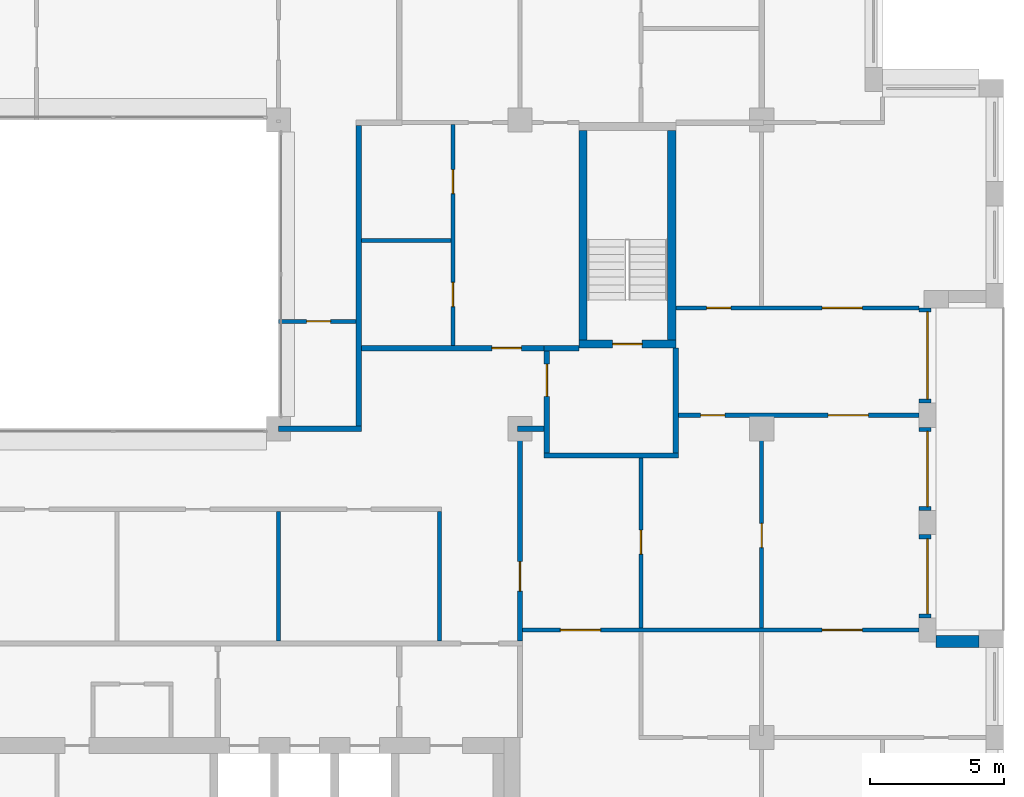
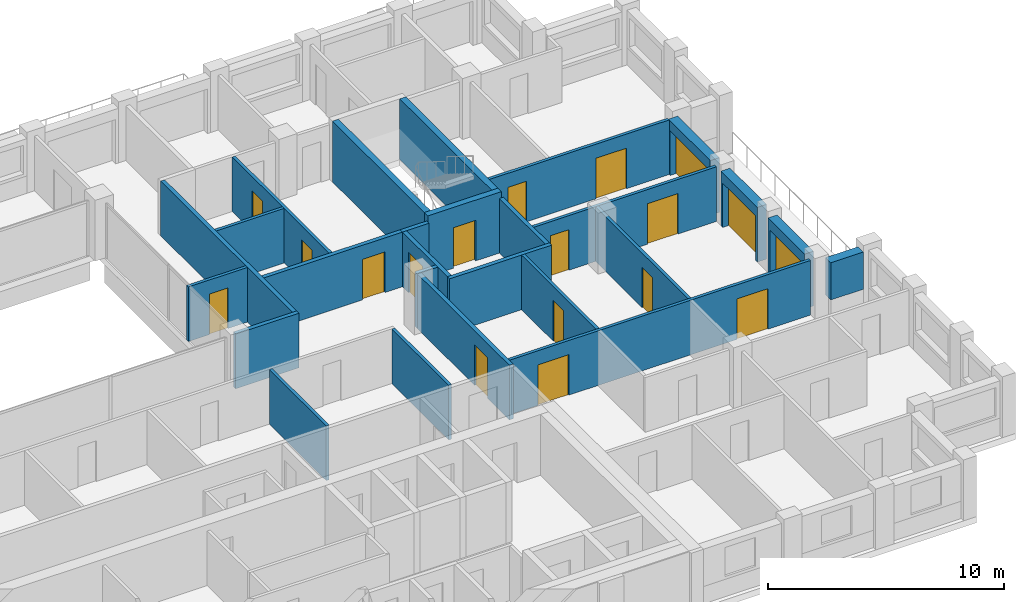
# One storey, part 12 of 16: 26 walls, 18 doors, 18 openings.
"""IFC4 building model written with IfcOpenShell, lengths in metres."""

import ifcopenshell
import ifcopenshell.guid

model = None  # the IFC model being written
_history = None  # IfcOwnerHistory: only IFC2X3 demands one
_inside = {}  # id of a spatial element -> (the spatial element, [elements in it])
_under = {}  # id of a project, library or spatial element -> (it, [spatial elements below it])
_declared = {}  # id of a project -> (the project, [libraries it declares])
_typed = {}  # id of a type object -> (the type object, [elements of that type])
_made_of = {}  # id of a material, layer set ... -> (it, [elements and type objects made of it])


def new_model(schema):
    """Start an empty IFC model of exactly this schema.

    Asked for "IFC4X3", IfcOpenShell would pick the latest addendum, in which some entities
    have other attributes; the version numbers below select the first issue.
    IFC2X3 requires an IfcOwnerHistory on every rooted entity: one is made here for all.
    """
    global model, _history
    if schema == "IFC4X3":
        model = ifcopenshell.file(schema_version=(4, 3, 0, 0))
    else:
        model = ifcopenshell.file(schema=schema)
    _inside.clear()
    _under.clear()
    _declared.clear()
    _typed.clear()
    _made_of.clear()
    _history = None
    if model.schema == "IFC2X3":
        org = make("IfcOrganization", Name="unknown")
        user = make(
            "IfcPersonAndOrganization",
            ThePerson=make("IfcPerson", FamilyName="unknown"),
            TheOrganization=org,
        )
        app = make(
            "IfcApplication",
            ApplicationDeveloper=org,
            Version="unknown",
            ApplicationFullName="unknown",
            ApplicationIdentifier="unknown",
        )
        _history = make(
            "IfcOwnerHistory",
            OwningUser=user,
            OwningApplication=app,
            ChangeAction="ADDED",
            CreationDate=0,
        )
    return model


def make(cls, **values):
    """One entity of the class cls with the attributes given. An attribute that is None is left unset."""
    return model.create_entity(
        cls, **{name: value for name, value in values.items() if value is not None}
    )


def rooted(cls, **values):
    """An entity with a GlobalId (a new one), such as an element, a storey or a relation."""
    return make(cls, GlobalId=ifcopenshell.guid.new(), OwnerHistory=_history, **values)


def si_unit(unit_type, name, prefix=None):
    """IfcSIUnit, for example si_unit("LENGTHUNIT", "METRE", prefix="MILLI")."""
    return make("IfcSIUnit", UnitType=unit_type, Prefix=prefix, Name=name)


def assignment(units):
    """IfcUnitAssignment: the units of a project."""
    return None if units is None else make("IfcUnitAssignment", Units=units)


def point(xyz):
    """IfcCartesianPoint."""
    return None if xyz is None else make("IfcCartesianPoint", Coordinates=xyz)


def direction(xyz):
    """IfcDirection."""
    return None if xyz is None else make("IfcDirection", DirectionRatios=xyz)


def frame(location, z_axis=None, x_axis=None):
    """IfcAxis2Placement3D, a coordinate frame: its origin and axes. An axis left out is left unset."""
    return make(
        "IfcAxis2Placement3D",
        Location=point(location),
        Axis=direction(z_axis),
        RefDirection=direction(x_axis),
    )


def frame_2d(location, x_axis=None):
    """IfcAxis2Placement2D, a coordinate frame in the plane: its origin and x axis."""
    return make(
        "IfcAxis2Placement2D", Location=point(location), RefDirection=direction(x_axis)
    )


def origin():
    """The frame at (0, 0, 0) with its axes left unset."""
    return frame((0.0, 0.0, 0.0))


def place(relative_to, where):
    """IfcLocalPlacement: puts the frame where relative to a parent placement (None: the world)."""
    return make(
        "IfcLocalPlacement", PlacementRelTo=relative_to, RelativePlacement=where
    )


def context(
    kind, dimensions, precision=None, world=None, true_north=None, identifier=None
):
    """IfcGeometricRepresentationContext, for example the 3D "Model" context."""
    return make(
        "IfcGeometricRepresentationContext",
        ContextIdentifier=identifier,
        ContextType=kind,
        CoordinateSpaceDimension=dimensions,
        Precision=precision,
        WorldCoordinateSystem=world,
        TrueNorth=true_north,
    )


def subcontext(parent, identifier, kind, view, scale=None):
    """IfcGeometricRepresentationSubContext, for example "Body" below "Model"."""
    return make(
        "IfcGeometricRepresentationSubContext",
        ContextIdentifier=identifier,
        ContextType=kind,
        ParentContext=parent,
        TargetScale=scale,
        TargetView=view,
    )


def project(units=None, contexts=None):
    """IfcProject with its units and contexts."""
    return rooted(
        "IfcProject",
        Name="project",
        RepresentationContexts=contexts,
        UnitsInContext=assignment(units),
    )


def spatial(cls, under=None, at=None, **own):
    """A site, building, storey or space (cls), placed at a placement, below another one or the project."""
    s = rooted(cls, ObjectPlacement=at, **own)
    if under is not None:
        _under.setdefault(under.id(), (under, []))[1].append(s)
    return s


def profile(cls, at=None, kind="AREA", **sizes):
    """A parametric profile (cls). Its sizes go by their IFC names, for example OverallWidth=200.0."""
    return make(cls, ProfileType=kind, Position=at, **sizes)


def rectangle(**sizes):
    """IfcRectangleProfileDef."""
    return profile("IfcRectangleProfileDef", **sizes)


def extrude(swept, where, along, depth):
    """IfcExtrudedAreaSolid: the profile swept, set in the frame where, extruded along a direction by depth."""
    return make(
        "IfcExtrudedAreaSolid",
        SweptArea=swept,
        Position=where,
        ExtrudedDirection=direction(along),
        Depth=depth,
    )


def shape(context_of_items, identifier, shape_type, items):
    """IfcShapeRepresentation: the items that make up one representation, for example the "Body"."""
    return make(
        "IfcShapeRepresentation",
        ContextOfItems=context_of_items,
        RepresentationIdentifier=identifier,
        RepresentationType=shape_type,
        Items=items,
    )


def material(Name=None, Category=None):
    """IfcMaterial."""
    return make("IfcMaterial", Name=Name, Category=Category)


def layer(
    of_material, thickness, ventilated=None, Name=None, Category=None, Priority=None
):
    """IfcMaterialLayer: one layer of a wall or slab, of a material (None: an air gap)."""
    return make(
        "IfcMaterialLayer",
        Material=of_material,
        LayerThickness=thickness,
        IsVentilated=ventilated,
        Name=Name,
        Category=Category,
        Priority=Priority,
    )


def layer_set(layers, Name=None):
    """IfcMaterialLayerSet."""
    return make("IfcMaterialLayerSet", MaterialLayers=layers, LayerSetName=Name)


def made_of(thing, what):
    """Note that an element or type object is made of a material, layer set ...; save() writes the relation."""
    if what is not None:
        _made_of.setdefault(what.id(), (what, []))[1].append(thing)
    return thing


def type_object(cls, material=None, **own):
    """A type object (cls), such as IfcWallType, which elements share."""
    return made_of(rooted(cls, **own), material)


def element(
    cls,
    number,
    at=None,
    inside=None,
    cuts=None,
    type_object=None,
    material=None,
    context=None,
    identifier="Body",
    shape_type=None,
    held_by="IfcProductDefinitionShape",
    body=None,
    shapes=None,
    **own,
):
    """One element of the class cls, such as IfcWall. Its Tag is "e" and its number.

    at: its placement. inside: the storey or other place that contains it. cuts: it is an
    opening in that element (IfcRelVoidsElement). A single representation is given by context,
    identifier, shape_type and body (its items); several are given by shapes. held_by: the class
    of the entity that holds the representations. save() writes the other relations.
    """
    e = rooted(cls, Tag="e%d" % number, ObjectPlacement=at, **own)
    if body is not None:
        shapes = [shape(context, identifier, shape_type, body)]
    if shapes is not None:
        e.Representation = make(held_by, Representations=shapes)
    if inside is not None:
        _inside.setdefault(inside.id(), (inside, []))[1].append(e)
    if cuts is not None:
        rooted(
            "IfcRelVoidsElement", RelatingBuildingElement=cuts, RelatedOpeningElement=e
        )
    if type_object is not None:
        _typed.setdefault(type_object.id(), (type_object, []))[1].append(e)
    return made_of(e, material)


def fill(opening, filler):
    """IfcRelFillsElement: the door or window that sits in an opening."""
    return rooted(
        "IfcRelFillsElement",
        RelatingOpeningElement=opening,
        RelatedBuildingElement=filler,
    )


def aggregate(whole, parts):
    """IfcRelAggregates: a whole, such as a stair, and the parts it consists of."""
    return rooted("IfcRelAggregates", RelatingObject=whole, RelatedObjects=parts)


def save(model, path):
    """Write the relations noted so far, then the file.

    IfcRelAggregates (storeys below a building ...), IfcRelContainedInSpatialStructure (elements
    in a storey), IfcRelDefinesByType, IfcRelAssociatesMaterial and IfcRelDeclares: one each for
    every whole, place, type object, material and project.
    """
    for whole, parts in _under.values():
        aggregate(whole, parts)
    for where, things in _inside.values():
        rooted(
            "IfcRelContainedInSpatialStructure",
            RelatedElements=things,
            RelatingStructure=where,
        )
    for kind, things in _typed.values():
        rooted("IfcRelDefinesByType", RelatedObjects=things, RelatingType=kind)
    for what, things in _made_of.values():
        rooted("IfcRelAssociatesMaterial", RelatedObjects=things, RelatingMaterial=what)
    for by, libraries in _declared.values():
        rooted("IfcRelDeclares", RelatingContext=by, RelatedDefinitions=libraries)
    model.write(path)


model = new_model("IFC4")

# Units and contexts
model_context = context("Model", 3, precision=1e-05, world=origin(), true_north=direction((0.0, 1.0)))
body_context = subcontext(model_context, "Body", "Model", "MODEL_VIEW")
ifc_project = project(units=[si_unit("LENGTHUNIT", "METRE"), si_unit("AREAUNIT", "SQUARE_METRE"), si_unit("VOLUMEUNIT", "CUBIC_METRE"), si_unit("PLANEANGLEUNIT", "RADIAN"), si_unit("MASSUNIT", "GRAM", prefix="KILO")], contexts=[model_context])

# Site, building, storey
site_placement = place(None, origin())
site = spatial("IfcSite", under=ifc_project, at=site_placement, CompositionType="ELEMENT")
building_placement = place(site_placement, origin())
building = spatial("IfcBuilding", under=site, at=building_placement, Name="Brigalow Station Residences", CompositionType="ELEMENT")
storey_placement = place(building_placement, frame((0.0, 0.0, 198.0)))
storey = spatial("IfcBuildingStorey", under=building, at=storey_placement, Name="L56", CompositionType="ELEMENT", Elevation=198.0)

# Wall
ifc_material_1 = material(Name="Clay brick masonry", Category="masonry")
ifc_layer_1 = layer(ifc_material_1, 0.449951171875)
ifc_layer_set_1 = layer_set([ifc_layer_1], Name="BRICK INFILL WALL 450")
wall_type_1 = type_object("IfcWallType", Name="BRICK INFILL WALL 450", PredefinedType="SOLIDWALL", material=ifc_layer_set_1)
wall_1_placement = place(storey_placement, frame((71.10009765625, 16.074951171875, 0.89990234375), z_axis=(0.0, 0.0, 1.0), x_axis=(-1.0, 0.0, 0.0)))
element("IfcWall", 1, at=wall_1_placement, inside=storey, type_object=wall_type_1, Name="L56/ewall/W-L56-11", PredefinedType="SOLIDWALL", context=body_context, shape_type="SweptSolid", body=[
    extrude(rectangle(XDim=1.60009765625, YDim=0.449951171875, at=frame_2d((0.800048828125, 0.0))), origin(), (0.0, 0.0, 1.0), 1.93017578125),
])

# Wall, opening, door
wall_2_placement = place(storey_placement, frame((69.074951171875, 16.949951171875, 0.0), z_axis=(0.0, 0.0, 1.0), x_axis=(0.0, 1.0, 0.0)))
wall_2 = element("IfcWall", 2, at=wall_2_placement, inside=storey, type_object=wall_type_1, Name="L56/ewall/W-L56-12", PredefinedType="SOLIDWALL", context=body_context, shape_type="SweptSolid", body=[
    extrude(rectangle(XDim=3.10009765625, YDim=0.449951171875, at=frame_2d((1.550048828125, 0.0))), origin(), (0.0, 0.0, 1.0), 2.830078125),
])
opening_1_placement = place(wall_2_placement, frame((0.14990234375, 0.0, 0.0)))
opening_1 = element("IfcOpeningElement", 3, at=opening_1_placement, cuts=wall_2, Name="Opening D-B2800", PredefinedType="OPENING", context=body_context, shape_type="SweptSolid", body=[
    extrude(rectangle(XDim=2.800048828125, YDim=2.300048828125, at=frame_2d((1.39990234375, 1.14990234375))), frame((0.0, 0.23486328125, 0.0), z_axis=(0.0, -1.0, 0.0), x_axis=(1.0, 0.0, 0.0)), (0.0, 0.0, 1.0), 0.469970703125),
])
ifc_material_2 = material(Name="Anodised aluminium frame with double glazing", Category="aluminium")
door_type_1 = type_object("IfcDoorType", Name="BALCONY SLIDING DOOR 2800x2300", OperationType="SLIDING_TO_LEFT", PredefinedType="DOOR", material=ifc_material_2)
door_1_placement = place(opening_1_placement, origin())
door_1 = element("IfcDoor", 4, at=door_1_placement, inside=storey, type_object=door_type_1, Name="L56/balcony-door/W-L56-12", OperationType="SLIDING_TO_LEFT", OverallHeight=2.300048828125, OverallWidth=2.800048828125, PredefinedType="DOOR", context=body_context, shape_type="SweptSolid", body=[
    extrude(rectangle(XDim=2.800048828125, YDim=2.300048828125, at=frame_2d((1.39990234375, 1.14990234375))), frame((0.0, -0.06982421875, 0.0), z_axis=(0.0, -1.0, 0.0), x_axis=(1.0, 0.0, 0.0)), (0.0, 0.0, 1.0), 0.050048828125),
])
fill(opening_1, door_1)

wall_3_placement = place(storey_placement, frame((69.074951171875, 20.949951171875, 0.0), z_axis=(0.0, 0.0, 1.0), x_axis=(0.0, 1.0, 0.0)))
wall_3 = element("IfcWall", 5, at=wall_3_placement, inside=storey, type_object=wall_type_1, Name="L56/ewall/W-L56-13", PredefinedType="SOLIDWALL", context=body_context, shape_type="SweptSolid", body=[
    extrude(rectangle(XDim=3.10009765625, YDim=0.449951171875, at=frame_2d((1.550048828125, 0.0))), origin(), (0.0, 0.0, 1.0), 2.830078125),
])
opening_2_placement = place(wall_3_placement, frame((0.14990234375, 0.0, 0.0)))
opening_2 = element("IfcOpeningElement", 6, at=opening_2_placement, cuts=wall_3, Name="Opening D-B2800", PredefinedType="OPENING", context=body_context, shape_type="SweptSolid", body=[
    extrude(rectangle(XDim=2.800048828125, YDim=2.300048828125, at=frame_2d((1.39990234375, 1.14990234375))), frame((0.0, 0.23486328125, 0.0), z_axis=(0.0, -1.0, 0.0), x_axis=(1.0, 0.0, 0.0)), (0.0, 0.0, 1.0), 0.469970703125),
])
door_2_placement = place(opening_2_placement, origin())
door_2 = element("IfcDoor", 7, at=door_2_placement, inside=storey, type_object=door_type_1, Name="L56/balcony-door/W-L56-13", OperationType="SLIDING_TO_LEFT", OverallHeight=2.300048828125, OverallWidth=2.800048828125, PredefinedType="DOOR", context=body_context, shape_type="SweptSolid", body=[
    extrude(rectangle(XDim=2.800048828125, YDim=2.300048828125, at=frame_2d((1.39990234375, 1.14990234375))), frame((0.0, -0.06982421875, 0.0), z_axis=(0.0, -1.0, 0.0), x_axis=(1.0, 0.0, 0.0)), (0.0, 0.0, 1.0), 0.050048828125),
])
fill(opening_2, door_2)

wall_4_placement = place(storey_placement, frame((69.074951171875, 24.949951171875, 0.0), z_axis=(0.0, 0.0, 1.0), x_axis=(0.0, 1.0, 0.0)))
wall_4 = element("IfcWall", 8, at=wall_4_placement, inside=storey, type_object=wall_type_1, Name="L56/ewall/W-L56-14", PredefinedType="SOLIDWALL", context=body_context, shape_type="SweptSolid", body=[
    extrude(rectangle(XDim=3.550048828125, YDim=0.449951171875, at=frame_2d((1.77490234375, 0.0))), origin(), (0.0, 0.0, 1.0), 2.830078125),
])
opening_3_placement = place(wall_4_placement, frame((0.14990234375, 0.0, 0.0)))
opening_3 = element("IfcOpeningElement", 9, at=opening_3_placement, cuts=wall_4, Name="Opening D-B3250", PredefinedType="OPENING", context=body_context, shape_type="SweptSolid", body=[
    extrude(rectangle(XDim=3.25, YDim=2.300048828125, at=frame_2d((1.625, 1.14990234375))), frame((0.0, 0.23486328125, 0.0), z_axis=(0.0, -1.0, 0.0), x_axis=(1.0, 0.0, 0.0)), (0.0, 0.0, 1.0), 0.469970703125),
])
ifc_material_3 = material(Name="Anodised aluminium frame with double glazing", Category="aluminium")
door_type_2 = type_object("IfcDoorType", Name="BALCONY SLIDING DOOR 3250x2300", OperationType="SLIDING_TO_LEFT", PredefinedType="DOOR", material=ifc_material_3)
door_3_placement = place(opening_3_placement, origin())
door_3 = element("IfcDoor", 10, at=door_3_placement, inside=storey, type_object=door_type_2, Name="L56/balcony-door/W-L56-14", OperationType="SLIDING_TO_LEFT", OverallHeight=2.300048828125, OverallWidth=3.25, PredefinedType="DOOR", context=body_context, shape_type="SweptSolid", body=[
    extrude(rectangle(XDim=3.25, YDim=2.300048828125, at=frame_2d((1.625, 1.14990234375))), frame((0.0, -0.06982421875, 0.0), z_axis=(0.0, -1.0, 0.0), x_axis=(1.0, 0.0, 0.0)), (0.0, 0.0, 1.0), 0.050048828125),
])
fill(opening_3, door_3)

ifc_material_4 = material(Name="Concrete C50", Category="concrete")
ifc_layer_2 = layer(ifc_material_4, 0.300048828125)
ifc_layer_set_2 = layer_set([ifc_layer_2], Name="CORE SHEAR WALL 300 C50")
wall_type_2 = type_object("IfcWallType", Name="CORE SHEAR WALL 300 C50", PredefinedType="SHEAR", material=ifc_layer_set_2)
wall_5_placement = place(storey_placement, frame((56.199951171875, 27.14990234375, 0.0), z_axis=(0.0, 0.0, 1.0), x_axis=(1.0, 0.0, 0.0)))
wall_5 = element("IfcWall", 11, at=wall_5_placement, inside=storey, type_object=wall_type_2, Name="CORE WALL ST-S3-S L56", PredefinedType="SHEAR", context=body_context, shape_type="SweptSolid", body=[
    extrude(rectangle(XDim=3.60009765625, YDim=0.300048828125, at=frame_2d((1.800048828125, 0.0))), origin(), (0.0, 0.0, 1.0), 3.14990234375),
])
opening_4_placement = place(wall_5_placement, frame((1.25, 0.0, 0.0)))
opening_4 = element("IfcOpeningElement", 12, at=opening_4_placement, cuts=wall_5, Name="Opening D-5018", PredefinedType="OPENING", context=body_context, shape_type="SweptSolid", body=[
    extrude(rectangle(XDim=1.10009765625, YDim=2.10009765625, at=frame_2d((0.550048828125, 1.050048828125))), frame((0.0, 0.16015625, 0.0), z_axis=(0.0, -1.0, 0.0), x_axis=(1.0, 0.0, 0.0)), (0.0, 0.0, 1.0), 0.320068359375),
])
ifc_material_5 = material(Name="Steel fire door leaf in steel frame", Category="steel")
door_type_3 = type_object("IfcDoorType", Name="STAIR DOOR 1100 x 2100 FD60S", OperationType="SINGLE_SWING_LEFT", PredefinedType="DOOR", material=ifc_material_5)
door_4_placement = place(opening_4_placement, origin())
door_4 = element("IfcDoor", 13, at=door_4_placement, inside=storey, type_object=door_type_3, Name="D-5018", OperationType="SINGLE_SWING_LEFT", OverallHeight=2.10009765625, OverallWidth=1.10009765625, PredefinedType="DOOR", context=body_context, shape_type="SweptSolid", body=[
    extrude(rectangle(XDim=1.10009765625, YDim=2.10009765625, at=frame_2d((0.550048828125, 1.050048828125))), frame((0.0, 0.02490234375, 0.0), z_axis=(0.0, -1.0, 0.0), x_axis=(1.0, 0.0, 0.0)), (0.0, 0.0, 1.0), 0.050048828125),
])
fill(opening_4, door_4)

# Walls
for number, where, z_axis, x_axis, name in (
    (14, (56.35009765625, 27.300048828125, 0.0), (0.0, 0.0, 1.0), (0.0, 1.0, 0.0), "CORE WALL ST-S3-W L56"),
    (15, (59.64990234375, 27.300048828125, 0.0), (0.0, 0.0, 1.0), (0.0, 1.0, 0.0), "CORE WALL ST-S3-E L56"),
):
    element("IfcWall", number, at=place(storey_placement, frame(where, z_axis=z_axis, x_axis=x_axis)), inside=storey, type_object=wall_type_2, Name=name, PredefinedType="SHEAR", context=body_context, shape_type="SweptSolid", body=[
        extrude(rectangle(XDim=7.800048828125, YDim=0.300048828125, at=frame_2d((3.89990234375, 0.0))), origin(), (0.0, 0.0, 1.0), 3.14990234375),
    ])
ifc_material_6 = material(Name="Concrete blockwork", Category="masonry")
ifc_layer_3 = layer(ifc_material_6, 0.199951171875)
ifc_layer_set_3 = layer_set([ifc_layer_3], Name="FIRE RATED CORE PARTITION 200")
wall_type_3 = type_object("IfcWallType", Name="FIRE RATED CORE PARTITION 200", PredefinedType="PARTITIONING", material=ifc_layer_set_3)
wall_6_placement = place(storey_placement, frame((54.89990234375, 23.0, 0.0), z_axis=(0.0, 0.0, 1.0), x_axis=(1.0, 0.0, 0.0)))
element("IfcWall", 16, at=wall_6_placement, inside=storey, type_object=wall_type_3, Name="PW-5024", PredefinedType="PARTITIONING", context=body_context, shape_type="SweptSolid", body=[
    extrude(rectangle(XDim=5.0, YDim=0.199951171875, at=frame_2d((2.5, 0.0))), origin(), (0.0, 0.0, 1.0), 2.830078125),
])
wall_7_placement = place(storey_placement, frame((54.89990234375, 27.0, 0.0), z_axis=(0.0, 0.0, 1.0), x_axis=(1.0, 0.0, 0.0)))
element("IfcWall", 17, at=wall_7_placement, inside=storey, type_object=wall_type_3, Name="PW-5026", PredefinedType="PARTITIONING", context=body_context, shape_type="SweptSolid", body=[
    extrude(rectangle(XDim=1.300048828125, YDim=0.199951171875, at=frame_2d((0.64990234375, 0.0))), origin(), (0.0, 0.0, 1.0), 2.830078125),
])

# Wall, opening, door
wall_8_placement = place(storey_placement, frame((55.0, 23.10009765625, 0.0), z_axis=(0.0, 0.0, 1.0), x_axis=(0.0, 1.0, 0.0)))
wall_8 = element("IfcWall", 18, at=wall_8_placement, inside=storey, type_object=wall_type_3, Name="PW-5036", PredefinedType="PARTITIONING", context=body_context, shape_type="SweptSolid", body=[
    extrude(rectangle(XDim=3.7998046875, YDim=0.199951171875, at=frame_2d((1.89990234375, 0.0))), origin(), (0.0, 0.0, 1.0), 2.830078125),
])
opening_5_placement = place(wall_8_placement, frame((2.10009765625, 0.0, 0.0)))
opening_5 = element("IfcOpeningElement", 19, at=opening_5_placement, cuts=wall_8, Name="Opening D-5019", PredefinedType="OPENING", context=body_context, shape_type="SweptSolid", body=[
    extrude(rectangle(XDim=1.199951171875, YDim=2.10009765625, at=frame_2d((0.60009765625, 1.050048828125))), frame((0.0, 0.10986328125, 0.0), z_axis=(0.0, -1.0, 0.0), x_axis=(1.0, 0.0, 0.0)), (0.0, 0.0, 1.0), 0.219970703125),
])
ifc_material_7 = material(Name="Steel fire door leaf in steel frame", Category="steel")
door_type_4 = type_object("IfcDoorType", Name="STAIR LOBBY DOOR 1200 x 2100 FD60S", OperationType="SINGLE_SWING_LEFT", PredefinedType="DOOR", material=ifc_material_7)
door_5_placement = place(opening_5_placement, frame((1.199951171875, 0.0, 0.0), z_axis=(0.0, 0.0, 1.0), x_axis=(-1.0, 0.0, 0.0)))
door_5 = element("IfcDoor", 20, at=door_5_placement, inside=storey, type_object=door_type_4, Name="D-5019", OperationType="SINGLE_SWING_LEFT", OverallHeight=2.10009765625, OverallWidth=1.199951171875, PredefinedType="DOOR", context=body_context, shape_type="SweptSolid", body=[
    extrude(rectangle(XDim=1.199951171875, YDim=2.10009765625, at=frame_2d((0.60009765625, 1.050048828125))), frame((0.0, 0.02490234375, 0.0), z_axis=(0.0, -1.0, 0.0), x_axis=(1.0, 0.0, 0.0)), (0.0, 0.0, 1.0), 0.050048828125),
])
fill(opening_5, door_5)

# Wall
wall_9_placement = place(storey_placement, frame((59.800048828125, 23.10009765625, 0.0), z_axis=(0.0, 0.0, 1.0), x_axis=(0.0, 1.0, 0.0)))
element("IfcWall", 21, at=wall_9_placement, inside=storey, type_object=wall_type_3, Name="PW-5037", PredefinedType="PARTITIONING", context=body_context, shape_type="SweptSolid", body=[
    extrude(rectangle(XDim=3.89990234375, YDim=0.199951171875, at=frame_2d((1.949951171875, 0.0))), origin(), (0.0, 0.0, 1.0), 2.830078125),
])

# Wall, openings, doors
ifc_material_8 = material(Name="Plasterboard on steel stud partition", Category="steel")
ifc_layer_4 = layer(ifc_material_8, 0.14990234375)
ifc_layer_set_4 = layer_set([ifc_layer_4], Name="FLAT PARTITION 150")
wall_type_4 = type_object("IfcWallType", Name="FLAT PARTITION 150", PredefinedType="PARTITIONING", material=ifc_layer_set_4)
wall_10_placement = place(storey_placement, frame((54.10009765625, 16.5, 0.0), z_axis=(0.0, 0.0, 1.0), x_axis=(1.0, 0.0, 0.0)))
wall_10 = element("IfcWall", 22, at=wall_10_placement, inside=storey, type_object=wall_type_4, Name="PW-4A11", PredefinedType="PARTITIONING", context=body_context, shape_type="SweptSolid", body=[
    extrude(rectangle(XDim=14.75, YDim=0.14990234375, at=frame_2d((7.375, 0.0))), origin(), (0.0, 0.0, 1.0), 2.830078125),
])
opening_6_placement = place(wall_10_placement, frame((1.39990234375, 0.0, 0.0)))
opening_6 = element("IfcOpeningElement", 23, at=opening_6_placement, cuts=wall_10, Name="Opening D-4A32", PredefinedType="OPENING", context=body_context, shape_type="SweptSolid", body=[
    extrude(rectangle(XDim=1.5, YDim=2.10009765625, at=frame_2d((0.75, 1.050048828125))), frame((0.0, 0.0849609375, 0.0), z_axis=(0.0, -1.0, 0.0), x_axis=(1.0, 0.0, 0.0)), (0.0, 0.0, 1.0), 0.169921875),
])
opening_7_placement = place(wall_10_placement, frame((11.14990234375, 0.0, 0.0)))
opening_7 = element("IfcOpeningElement", 24, at=opening_7_placement, cuts=wall_10, Name="Opening D-4A40", PredefinedType="OPENING", context=body_context, shape_type="SweptSolid", body=[
    extrude(rectangle(XDim=1.5, YDim=2.10009765625, at=frame_2d((0.75, 1.050048828125))), frame((0.0, 0.0849609375, 0.0), z_axis=(0.0, -1.0, 0.0), x_axis=(1.0, 0.0, 0.0)), (0.0, 0.0, 1.0), 0.169921875),
])
ifc_material_9 = material(Name="Solid-core timber door leaf", Category="wood")
door_type_5 = type_object("IfcDoorType", Name="INTERNAL DOUBLE DOOR 1500 x 2100", OperationType="DOUBLE_DOOR_SINGLE_SWING", PredefinedType="DOOR", material=ifc_material_9)
door_6_placement = place(opening_6_placement, origin())
door_6 = element("IfcDoor", 25, at=door_6_placement, inside=storey, type_object=door_type_5, Name="D-4A32", OperationType="DOUBLE_DOOR_SINGLE_SWING", OverallHeight=2.10009765625, OverallWidth=1.5, PredefinedType="DOOR", context=body_context, shape_type="SweptSolid", body=[
    extrude(rectangle(XDim=1.5, YDim=2.10009765625, at=frame_2d((0.75, 1.050048828125))), frame((0.0, 0.02490234375, 0.0), z_axis=(0.0, -1.0, 0.0), x_axis=(1.0, 0.0, 0.0)), (0.0, 0.0, 1.0), 0.050048828125),
])
fill(opening_6, door_6)
door_7_placement = place(opening_7_placement, frame((1.5, 0.0, 0.0), z_axis=(0.0, 0.0, 1.0), x_axis=(-1.0, 0.0, 0.0)))
door_7 = element("IfcDoor", 26, at=door_7_placement, inside=storey, type_object=door_type_5, Name="D-4A40", OperationType="DOUBLE_DOOR_SINGLE_SWING", OverallHeight=2.10009765625, OverallWidth=1.5, PredefinedType="DOOR", context=body_context, shape_type="SweptSolid", body=[
    extrude(rectangle(XDim=1.5, YDim=2.10009765625, at=frame_2d((0.75, 1.050048828125))), frame((0.0, 0.02490234375, 0.0), z_axis=(0.0, -1.0, 0.0), x_axis=(1.0, 0.0, 0.0)), (0.0, 0.0, 1.0), 0.050048828125),
])
fill(opening_7, door_7)

# Wall, opening, door
wall_11_placement = place(storey_placement, frame((45.0, 28.0, 0.0), z_axis=(0.0, 0.0, 1.0), x_axis=(1.0, 0.0, 0.0)))
wall_11 = element("IfcWall", 27, at=wall_11_placement, inside=storey, type_object=wall_type_4, Name="PW-4A26", PredefinedType="PARTITIONING", context=body_context, shape_type="SweptSolid", body=[
    extrude(rectangle(XDim=2.89990234375, YDim=0.14990234375, at=frame_2d((1.449951171875, 0.0))), origin(), (0.0, 0.0, 1.0), 2.830078125),
])
opening_8_placement = place(wall_11_placement, frame((1.050048828125, 0.0, 0.0)))
opening_8 = element("IfcOpeningElement", 28, at=opening_8_placement, cuts=wall_11, Name="Opening D-4A23", PredefinedType="OPENING", context=body_context, shape_type="SweptSolid", body=[
    extrude(rectangle(XDim=0.89990234375, YDim=2.10009765625, at=frame_2d((0.449951171875, 1.050048828125))), frame((0.0, 0.0849609375, 0.0), z_axis=(0.0, -1.0, 0.0), x_axis=(1.0, 0.0, 0.0)), (0.0, 0.0, 1.0), 0.169921875),
])
ifc_material_10 = material(Name="Solid-core timber door leaf", Category="wood")
door_type_6 = type_object("IfcDoorType", Name="INTERNAL DOOR 900 x 2100", OperationType="SINGLE_SWING_LEFT", PredefinedType="DOOR", material=ifc_material_10)
door_8_placement = place(opening_8_placement, frame((0.89990234375, 0.0, 0.0), z_axis=(0.0, 0.0, 1.0), x_axis=(-1.0, 0.0, 0.0)))
door_8 = element("IfcDoor", 29, at=door_8_placement, inside=storey, type_object=door_type_6, Name="D-4A23", OperationType="SINGLE_SWING_LEFT", OverallHeight=2.10009765625, OverallWidth=0.89990234375, PredefinedType="DOOR", context=body_context, shape_type="SweptSolid", body=[
    extrude(rectangle(XDim=0.89990234375, YDim=2.10009765625, at=frame_2d((0.449951171875, 1.050048828125))), frame((0.0, 0.02490234375, 0.0), z_axis=(0.0, -1.0, 0.0), x_axis=(1.0, 0.0, 0.0)), (0.0, 0.0, 1.0), 0.050048828125),
])
fill(opening_8, door_8)

# Wall
wall_12_placement = place(storey_placement, frame((48.10009765625, 31.0, 0.0), z_axis=(0.0, 0.0, 1.0), x_axis=(1.0, 0.0, 0.0)))
element("IfcWall", 30, at=wall_12_placement, inside=storey, type_object=wall_type_4, Name="PW-4A27", PredefinedType="PARTITIONING", context=body_context, shape_type="SweptSolid", body=[
    extrude(rectangle(XDim=3.324951171875, YDim=0.14990234375, at=frame_2d((1.66259765625, 0.0))), origin(), (0.0, 0.0, 1.0), 2.830078125),
])

# Wall, openings, doors
wall_13_placement = place(storey_placement, frame((59.89990234375, 24.5, 0.0), z_axis=(0.0, 0.0, 1.0), x_axis=(1.0, 0.0, 0.0)))
wall_13 = element("IfcWall", 31, at=wall_13_placement, inside=storey, type_object=wall_type_4, Name="PW-4A30", PredefinedType="PARTITIONING", context=body_context, shape_type="SweptSolid", body=[
    extrude(rectangle(XDim=8.9501953125, YDim=0.14990234375, at=frame_2d((4.47509765625, 0.0))), origin(), (0.0, 0.0, 1.0), 2.830078125),
])
opening_9_placement = place(wall_13_placement, frame((5.574951171875, 0.0, 0.0)))
opening_9 = element("IfcOpeningElement", 32, at=opening_9_placement, cuts=wall_13, Name="Opening D-4A42", PredefinedType="OPENING", context=body_context, shape_type="SweptSolid", body=[
    extrude(rectangle(XDim=1.5, YDim=2.10009765625, at=frame_2d((0.75, 1.050048828125))), frame((0.0, 0.0849609375, 0.0), z_axis=(0.0, -1.0, 0.0), x_axis=(1.0, 0.0, 0.0)), (0.0, 0.0, 1.0), 0.169921875),
])
opening_10_placement = place(wall_13_placement, frame((0.824951171875, 0.0, 0.0)))
opening_10 = element("IfcOpeningElement", 33, at=opening_10_placement, cuts=wall_13, Name="Opening D-4A43", PredefinedType="OPENING", context=body_context, shape_type="SweptSolid", body=[
    extrude(rectangle(XDim=0.89990234375, YDim=2.10009765625, at=frame_2d((0.449951171875, 1.050048828125))), frame((0.0, 0.0849609375, 0.0), z_axis=(0.0, -1.0, 0.0), x_axis=(1.0, 0.0, 0.0)), (0.0, 0.0, 1.0), 0.169921875),
])
door_9_placement = place(opening_10_placement, frame((0.89990234375, 0.0, 0.0), z_axis=(0.0, 0.0, 1.0), x_axis=(-1.0, 0.0, 0.0)))
door_9 = element("IfcDoor", 34, at=door_9_placement, inside=storey, type_object=door_type_6, Name="D-4A43", OperationType="SINGLE_SWING_RIGHT", OverallHeight=2.10009765625, OverallWidth=0.89990234375, PredefinedType="DOOR", context=body_context, shape_type="SweptSolid", body=[
    extrude(rectangle(XDim=0.89990234375, YDim=2.10009765625, at=frame_2d((0.449951171875, 1.050048828125))), frame((0.0, 0.02490234375, 0.0), z_axis=(0.0, -1.0, 0.0), x_axis=(1.0, 0.0, 0.0)), (0.0, 0.0, 1.0), 0.050048828125),
])
fill(opening_10, door_9)
door_10_placement = place(opening_9_placement, origin())
door_10 = element("IfcDoor", 35, at=door_10_placement, inside=storey, type_object=door_type_5, Name="D-4A42", OperationType="DOUBLE_DOOR_SINGLE_SWING", OverallHeight=2.10009765625, OverallWidth=1.5, PredefinedType="DOOR", context=body_context, shape_type="SweptSolid", body=[
    extrude(rectangle(XDim=1.5, YDim=2.10009765625, at=frame_2d((0.75, 1.050048828125))), frame((0.0, 0.02490234375, 0.0), z_axis=(0.0, -1.0, 0.0), x_axis=(1.0, 0.0, 0.0)), (0.0, 0.0, 1.0), 0.050048828125),
])
fill(opening_9, door_10)

wall_14_placement = place(storey_placement, frame((59.800048828125, 28.5, 0.0), z_axis=(0.0, 0.0, 1.0), x_axis=(1.0, 0.0, 0.0)))
wall_14 = element("IfcWall", 36, at=wall_14_placement, inside=storey, type_object=wall_type_4, Name="PW-4A31", PredefinedType="PARTITIONING", context=body_context, shape_type="SweptSolid", body=[
    extrude(rectangle(XDim=9.050048828125, YDim=0.14990234375, at=frame_2d((4.52490234375, 0.0))), origin(), (0.0, 0.0, 1.0), 2.830078125),
])
opening_11_placement = place(wall_14_placement, frame((1.14990234375, 0.0, 0.0)))
opening_11 = element("IfcOpeningElement", 37, at=opening_11_placement, cuts=wall_14, Name="Opening D-4A44", PredefinedType="OPENING", context=body_context, shape_type="SweptSolid", body=[
    extrude(rectangle(XDim=0.89990234375, YDim=2.10009765625, at=frame_2d((0.449951171875, 1.050048828125))), frame((0.0, 0.0849609375, 0.0), z_axis=(0.0, -1.0, 0.0), x_axis=(1.0, 0.0, 0.0)), (0.0, 0.0, 1.0), 0.169921875),
])
opening_12_placement = place(wall_14_placement, frame((5.449951171875, 0.0, 0.0)))
opening_12 = element("IfcOpeningElement", 38, at=opening_12_placement, cuts=wall_14, Name="Opening D-4A45", PredefinedType="OPENING", context=body_context, shape_type="SweptSolid", body=[
    extrude(rectangle(XDim=1.5, YDim=2.10009765625, at=frame_2d((0.75, 1.050048828125))), frame((0.0, 0.0849609375, 0.0), z_axis=(0.0, -1.0, 0.0), x_axis=(1.0, 0.0, 0.0)), (0.0, 0.0, 1.0), 0.169921875),
])
door_11_placement = place(opening_11_placement, origin())
door_11 = element("IfcDoor", 39, at=door_11_placement, inside=storey, type_object=door_type_6, Name="D-4A44", OperationType="SINGLE_SWING_RIGHT", OverallHeight=2.10009765625, OverallWidth=0.89990234375, PredefinedType="DOOR", context=body_context, shape_type="SweptSolid", body=[
    extrude(rectangle(XDim=0.89990234375, YDim=2.10009765625, at=frame_2d((0.449951171875, 1.050048828125))), frame((0.0, 0.02490234375, 0.0), z_axis=(0.0, -1.0, 0.0), x_axis=(1.0, 0.0, 0.0)), (0.0, 0.0, 1.0), 0.050048828125),
])
fill(opening_11, door_11)
door_12_placement = place(opening_12_placement, frame((1.5, 0.0, 0.0), z_axis=(0.0, 0.0, 1.0), x_axis=(-1.0, 0.0, 0.0)))
door_12 = element("IfcDoor", 40, at=door_12_placement, inside=storey, type_object=door_type_5, Name="D-4A45", OperationType="DOUBLE_DOOR_SINGLE_SWING", OverallHeight=2.10009765625, OverallWidth=1.5, PredefinedType="DOOR", context=body_context, shape_type="SweptSolid", body=[
    extrude(rectangle(XDim=1.5, YDim=2.10009765625, at=frame_2d((0.75, 1.050048828125))), frame((0.0, 0.02490234375, 0.0), z_axis=(0.0, -1.0, 0.0), x_axis=(1.0, 0.0, 0.0)), (0.0, 0.0, 1.0), 0.050048828125),
])
fill(opening_12, door_12)

# Walls
for number, where, z_axis, x_axis, name in (
    (41, (51.0, 16.10009765625, 0.0), (0.0, 0.0, 1.0), (0.0, 1.0, 0.0), "PW-4A38"),
    (42, (45.0, 16.10009765625, 0.0), (0.0, 0.0, 1.0), (0.0, 1.0, 0.0), "PW-4A48"),
):
    element("IfcWall", number, at=place(storey_placement, frame(where, z_axis=z_axis, x_axis=x_axis)), inside=storey, type_object=wall_type_4, Name=name, PredefinedType="PARTITIONING", context=body_context, shape_type="SweptSolid", body=[
        extrude(rectangle(XDim=4.824951171875, YDim=0.14990234375, at=frame_2d((2.41259765625, 0.0))), origin(), (0.0, 0.0, 1.0), 2.830078125),
    ])

# Wall, openings, doors
wall_15_placement = place(storey_placement, frame((51.5, 27.10009765625, 0.0), z_axis=(0.0, 0.0, 1.0), x_axis=(0.0, 1.0, 0.0)))
wall_15 = element("IfcWall", 43, at=wall_15_placement, inside=storey, type_object=wall_type_4, Name="PW-4A52", PredefinedType="PARTITIONING", context=body_context, shape_type="SweptSolid", body=[
    extrude(rectangle(XDim=8.224853515625, YDim=0.14990234375, at=frame_2d((4.1123046875, 0.0))), origin(), (0.0, 0.0, 1.0), 2.830078125),
])
opening_13_placement = place(wall_15_placement, frame((1.449951171875, 0.0, 0.0)))
opening_13 = element("IfcOpeningElement", 44, at=opening_13_placement, cuts=wall_15, Name="Opening D-4A25", PredefinedType="OPENING", context=body_context, shape_type="SweptSolid", body=[
    extrude(rectangle(XDim=0.89990234375, YDim=2.10009765625, at=frame_2d((0.449951171875, 1.050048828125))), frame((0.0, 0.0849609375, 0.0), z_axis=(0.0, -1.0, 0.0), x_axis=(1.0, 0.0, 0.0)), (0.0, 0.0, 1.0), 0.169921875),
])
opening_14_placement = place(wall_15_placement, frame((5.64990234375, 0.0, 0.0)))
opening_14 = element("IfcOpeningElement", 45, at=opening_14_placement, cuts=wall_15, Name="Opening D-4A26", PredefinedType="OPENING", context=body_context, shape_type="SweptSolid", body=[
    extrude(rectangle(XDim=0.89990234375, YDim=2.10009765625, at=frame_2d((0.449951171875, 1.050048828125))), frame((0.0, 0.0849609375, 0.0), z_axis=(0.0, -1.0, 0.0), x_axis=(1.0, 0.0, 0.0)), (0.0, 0.0, 1.0), 0.169921875),
])
door_13_placement = place(opening_13_placement, origin())
door_13 = element("IfcDoor", 46, at=door_13_placement, inside=storey, type_object=door_type_6, Name="D-4A25", OperationType="SINGLE_SWING_LEFT", OverallHeight=2.10009765625, OverallWidth=0.89990234375, PredefinedType="DOOR", context=body_context, shape_type="SweptSolid", body=[
    extrude(rectangle(XDim=0.89990234375, YDim=2.10009765625, at=frame_2d((0.449951171875, 1.050048828125))), frame((0.0, 0.02490234375, 0.0), z_axis=(0.0, -1.0, 0.0), x_axis=(1.0, 0.0, 0.0)), (0.0, 0.0, 1.0), 0.050048828125),
])
fill(opening_13, door_13)
door_14_placement = place(opening_14_placement, origin())
door_14 = element("IfcDoor", 47, at=door_14_placement, inside=storey, type_object=door_type_6, Name="D-4A26", OperationType="SINGLE_SWING_LEFT", OverallHeight=2.10009765625, OverallWidth=0.89990234375, PredefinedType="DOOR", context=body_context, shape_type="SweptSolid", body=[
    extrude(rectangle(XDim=0.89990234375, YDim=2.10009765625, at=frame_2d((0.449951171875, 1.050048828125))), frame((0.0, 0.02490234375, 0.0), z_axis=(0.0, -1.0, 0.0), x_axis=(1.0, 0.0, 0.0)), (0.0, 0.0, 1.0), 0.050048828125),
])
fill(opening_14, door_14)

# Wall, opening, door
wall_16_placement = place(storey_placement, frame((58.5, 16.574951171875, 0.0), z_axis=(0.0, 0.0, 1.0), x_axis=(0.0, 1.0, 0.0)))
wall_16 = element("IfcWall", 48, at=wall_16_placement, inside=storey, type_object=wall_type_4, Name="PW-4A55", PredefinedType="PARTITIONING", context=body_context, shape_type="SweptSolid", body=[
    extrude(rectangle(XDim=6.324951171875, YDim=0.14990234375, at=frame_2d((3.16259765625, 0.0))), origin(), (0.0, 0.0, 1.0), 2.830078125),
])
opening_15_placement = place(wall_16_placement, frame((2.75, 0.0, 0.0)))
opening_15 = element("IfcOpeningElement", 49, at=opening_15_placement, cuts=wall_16, Name="Opening D-4A33", PredefinedType="OPENING", context=body_context, shape_type="SweptSolid", body=[
    extrude(rectangle(XDim=0.89990234375, YDim=2.10009765625, at=frame_2d((0.449951171875, 1.050048828125))), frame((0.0, 0.0849609375, 0.0), z_axis=(0.0, -1.0, 0.0), x_axis=(1.0, 0.0, 0.0)), (0.0, 0.0, 1.0), 0.169921875),
])
door_15_placement = place(opening_15_placement, origin())
door_15 = element("IfcDoor", 50, at=door_15_placement, inside=storey, type_object=door_type_6, Name="D-4A33", OperationType="SINGLE_SWING_RIGHT", OverallHeight=2.10009765625, OverallWidth=0.89990234375, PredefinedType="DOOR", context=body_context, shape_type="SweptSolid", body=[
    extrude(rectangle(XDim=0.89990234375, YDim=2.10009765625, at=frame_2d((0.449951171875, 1.050048828125))), frame((0.0, 0.02490234375, 0.0), z_axis=(0.0, -1.0, 0.0), x_axis=(1.0, 0.0, 0.0)), (0.0, 0.0, 1.0), 0.050048828125),
])
fill(opening_15, door_15)

wall_17_placement = place(storey_placement, frame((63.0, 16.574951171875, 0.0), z_axis=(0.0, 0.0, 1.0), x_axis=(0.0, 1.0, 0.0)))
wall_17 = element("IfcWall", 51, at=wall_17_placement, inside=storey, type_object=wall_type_4, Name="PW-4A59", PredefinedType="PARTITIONING", context=body_context, shape_type="SweptSolid", body=[
    extrude(rectangle(XDim=7.85009765625, YDim=0.14990234375, at=frame_2d((3.925048828125, 0.0))), origin(), (0.0, 0.0, 1.0), 2.830078125),
])
opening_16_placement = place(wall_17_placement, frame((3.0, 0.0, 0.0)))
opening_16 = element("IfcOpeningElement", 52, at=opening_16_placement, cuts=wall_17, Name="Opening D-4A41", PredefinedType="OPENING", context=body_context, shape_type="SweptSolid", body=[
    extrude(rectangle(XDim=0.89990234375, YDim=2.10009765625, at=frame_2d((0.449951171875, 1.050048828125))), frame((0.0, 0.0849609375, 0.0), z_axis=(0.0, -1.0, 0.0), x_axis=(1.0, 0.0, 0.0)), (0.0, 0.0, 1.0), 0.169921875),
])
door_16_placement = place(opening_16_placement, origin())
door_16 = element("IfcDoor", 53, at=door_16_placement, inside=storey, type_object=door_type_6, Name="D-4A41", OperationType="SINGLE_SWING_LEFT", OverallHeight=2.10009765625, OverallWidth=0.89990234375, PredefinedType="DOOR", context=body_context, shape_type="SweptSolid", body=[
    extrude(rectangle(XDim=0.89990234375, YDim=2.10009765625, at=frame_2d((0.449951171875, 1.050048828125))), frame((0.0, 0.02490234375, 0.0), z_axis=(0.0, -1.0, 0.0), x_axis=(1.0, 0.0, 0.0)), (0.0, 0.0, 1.0), 0.050048828125),
])
fill(opening_16, door_16)

# Walls
ifc_material_11 = material(Name="Plasterboard on steel stud partition", Category="steel")
ifc_layer_5 = layer(ifc_material_11, 0.199951171875)
ifc_layer_set_5 = layer_set([ifc_layer_5], Name="PARTY AND CORRIDOR WALL 200")
wall_type_5 = type_object("IfcWallType", Name="PARTY AND CORRIDOR WALL 200", PredefinedType="PARTITIONING", material=ifc_layer_set_5)
wall_18_placement = place(storey_placement, frame((45.0, 24.0, 0.0), z_axis=(0.0, 0.0, 1.0), x_axis=(1.0, 0.0, 0.0)))
element("IfcWall", 54, at=wall_18_placement, inside=storey, type_object=wall_type_5, Name="PW-4A03", PredefinedType="PARTITIONING", context=body_context, shape_type="SweptSolid", body=[
    extrude(rectangle(XDim=3.10009765625, YDim=0.199951171875, at=frame_2d((1.550048828125, 0.0))), origin(), (0.0, 0.0, 1.0), 2.830078125),
])
wall_19_placement = place(storey_placement, frame((53.89990234375, 24.0, 0.0), z_axis=(0.0, 0.0, 1.0), x_axis=(1.0, 0.0, 0.0)))
element("IfcWall", 55, at=wall_19_placement, inside=storey, type_object=wall_type_5, Name="PW-4A04", PredefinedType="PARTITIONING", context=body_context, shape_type="SweptSolid", body=[
    extrude(rectangle(XDim=1.0, YDim=0.199951171875, at=frame_2d((0.5, 0.0))), origin(), (0.0, 0.0, 1.0), 2.830078125),
])

# Wall, opening, door
wall_20_placement = place(storey_placement, frame((48.10009765625, 27.0, 0.0), z_axis=(0.0, 0.0, 1.0), x_axis=(1.0, 0.0, 0.0)))
wall_20 = element("IfcWall", 56, at=wall_20_placement, inside=storey, type_object=wall_type_5, Name="PW-4A08", PredefinedType="PARTITIONING", context=body_context, shape_type="SweptSolid", body=[
    extrude(rectangle(XDim=6.7998046875, YDim=0.199951171875, at=frame_2d((3.39990234375, 0.0))), origin(), (0.0, 0.0, 1.0), 2.830078125),
])
opening_17_placement = place(wall_20_placement, frame((4.85009765625, 0.0, 0.0)))
opening_17 = element("IfcOpeningElement", 57, at=opening_17_placement, cuts=wall_20, Name="Opening D-4A24", PredefinedType="OPENING", context=body_context, shape_type="SweptSolid", body=[
    extrude(rectangle(XDim=1.10009765625, YDim=2.10009765625, at=frame_2d((0.550048828125, 1.050048828125))), frame((0.0, 0.10986328125, 0.0), z_axis=(0.0, -1.0, 0.0), x_axis=(1.0, 0.0, 0.0)), (0.0, 0.0, 1.0), 0.219970703125),
])
ifc_material_12 = material(Name="Solid-core timber door leaf", Category="wood")
door_type_7 = type_object("IfcDoorType", Name="FLAT ENTRANCE DOOR 1100 x 2100 FRL -/60/30", OperationType="SINGLE_SWING_LEFT", PredefinedType="DOOR", material=ifc_material_12)
door_17_placement = place(opening_17_placement, origin())
door_17 = element("IfcDoor", 58, at=door_17_placement, inside=storey, type_object=door_type_7, Name="D-4A24", OperationType="SINGLE_SWING_LEFT", OverallHeight=2.10009765625, OverallWidth=1.10009765625, PredefinedType="DOOR", context=body_context, shape_type="SweptSolid", body=[
    extrude(rectangle(XDim=1.10009765625, YDim=2.10009765625, at=frame_2d((0.550048828125, 1.050048828125))), frame((0.0, 0.02490234375, 0.0), z_axis=(0.0, -1.0, 0.0), x_axis=(1.0, 0.0, 0.0)), (0.0, 0.0, 1.0), 0.050048828125),
])
fill(opening_17, door_17)

wall_21_placement = place(storey_placement, frame((54.0, 16.10009765625, 0.0), z_axis=(0.0, 0.0, 1.0), x_axis=(0.0, 1.0, 0.0)))
wall_21 = element("IfcWall", 59, at=wall_21_placement, inside=storey, type_object=wall_type_5, Name="PW-4A36", PredefinedType="PARTITIONING", context=body_context, shape_type="SweptSolid", body=[
    extrude(rectangle(XDim=7.7998046875, YDim=0.199951171875, at=frame_2d((3.89990234375, 0.0))), origin(), (0.0, 0.0, 1.0), 2.830078125),
])
opening_18_placement = place(wall_21_placement, frame((1.85009765625, 0.0, 0.0)))
opening_18 = element("IfcOpeningElement", 60, at=opening_18_placement, cuts=wall_21, Name="Opening D-4A31", PredefinedType="OPENING", context=body_context, shape_type="SweptSolid", body=[
    extrude(rectangle(XDim=1.10009765625, YDim=2.10009765625, at=frame_2d((0.550048828125, 1.050048828125))), frame((0.0, 0.10986328125, 0.0), z_axis=(0.0, -1.0, 0.0), x_axis=(1.0, 0.0, 0.0)), (0.0, 0.0, 1.0), 0.219970703125),
])
door_18_placement = place(opening_18_placement, frame((1.10009765625, 0.0, 0.0), z_axis=(0.0, 0.0, 1.0), x_axis=(-1.0, 0.0, 0.0)))
door_18 = element("IfcDoor", 61, at=door_18_placement, inside=storey, type_object=door_type_7, Name="D-4A31", OperationType="SINGLE_SWING_RIGHT", OverallHeight=2.10009765625, OverallWidth=1.10009765625, PredefinedType="DOOR", context=body_context, shape_type="SweptSolid", body=[
    extrude(rectangle(XDim=1.10009765625, YDim=2.10009765625, at=frame_2d((0.550048828125, 1.050048828125))), frame((0.0, 0.02490234375, 0.0), z_axis=(0.0, -1.0, 0.0), x_axis=(1.0, 0.0, 0.0)), (0.0, 0.0, 1.0), 0.050048828125),
])
fill(opening_18, door_18)

# Wall
wall_22_placement = place(storey_placement, frame((48.0, 24.10009765625, 0.0), z_axis=(0.0, 0.0, 1.0), x_axis=(0.0, 1.0, 0.0)))
element("IfcWall", 62, at=wall_22_placement, inside=storey, type_object=wall_type_5, Name="PW-4A41", PredefinedType="PARTITIONING", context=body_context, shape_type="SweptSolid", body=[
    extrude(rectangle(XDim=11.199951171875, YDim=0.199951171875, at=frame_2d((5.60009765625, 0.0))), origin(), (0.0, 0.0, 1.0), 2.830078125),
])

save(model, "model.ifc")
